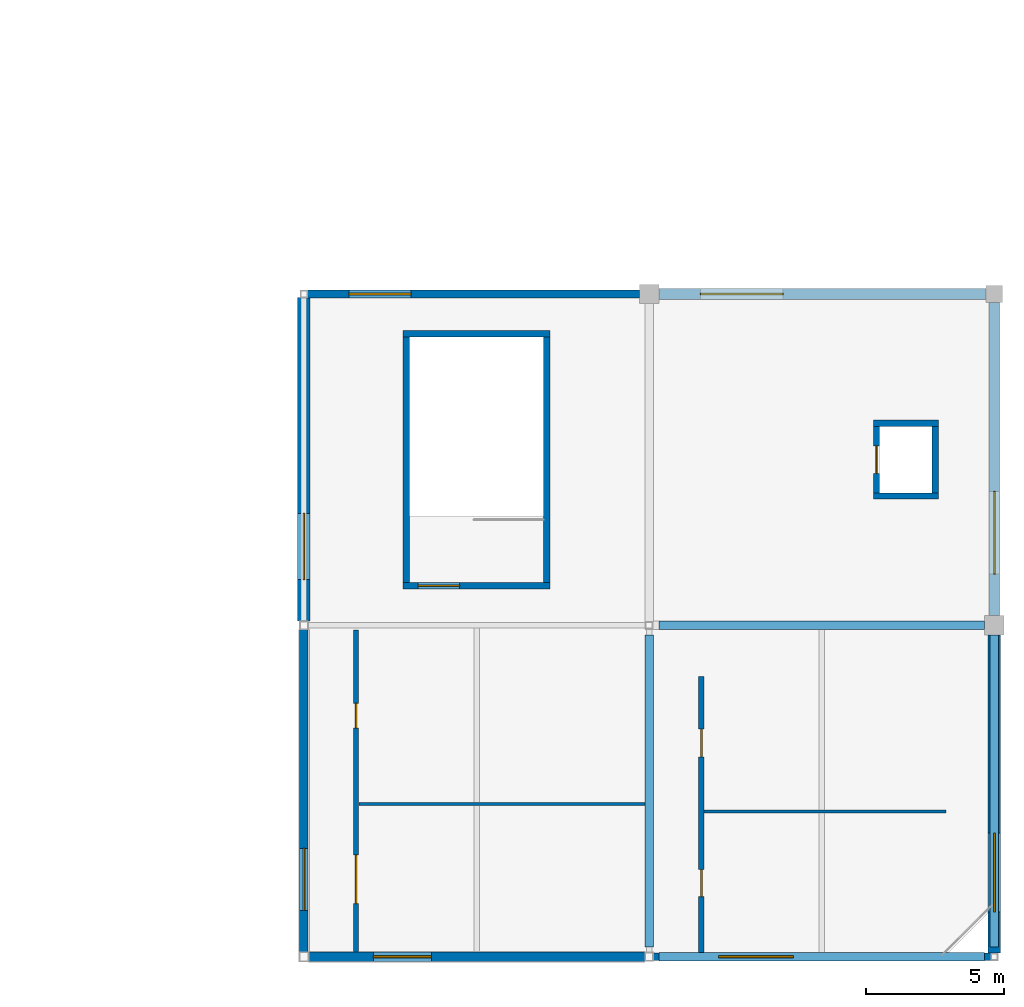
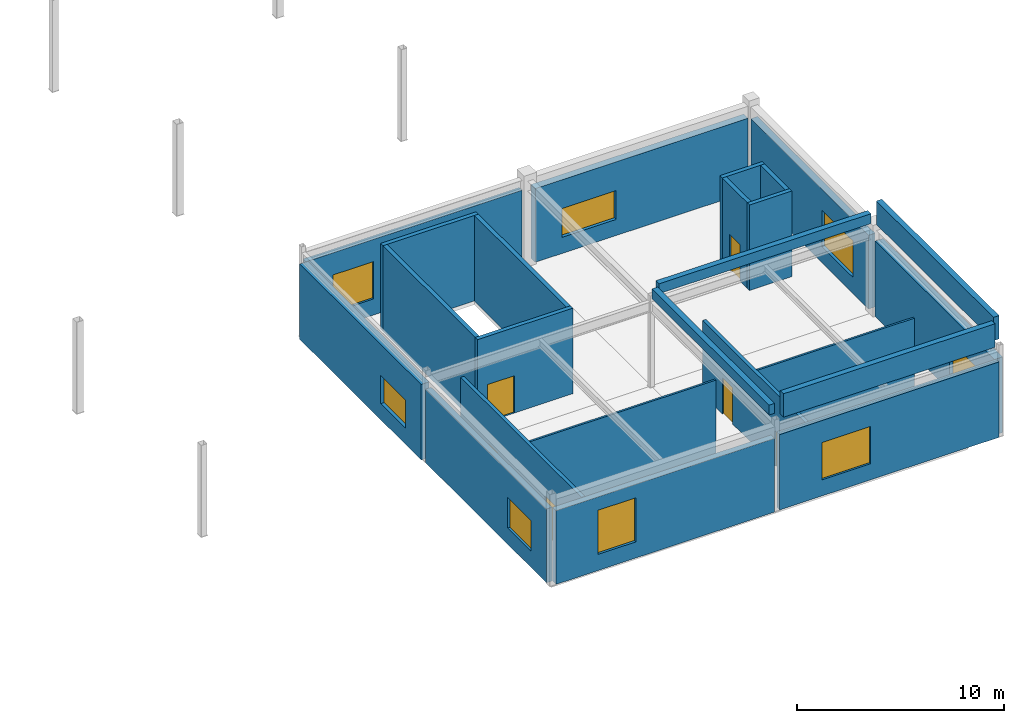
# One storey, part 66 of 76: 24 walls, 8 windows, 6 doors, 14 openings.
"""IFC4 building model written with IfcOpenShell, lengths in metres."""

from ifc_helpers import new_model, si_unit, direction, frame, frame_2d, origin, place, context, subcontext, project, spatial, rectangle, extrude, material, layer, layer_set, type_object, element, fill, save


model = new_model("IFC4")

# Units and contexts
model_context = context("Model", 3, precision=1e-05, world=origin(), true_north=direction((0.0, 1.0)))
body_context = subcontext(model_context, "Body", "Model", "MODEL_VIEW")
ifc_project = project(units=[si_unit("LENGTHUNIT", "METRE"), si_unit("AREAUNIT", "SQUARE_METRE"), si_unit("VOLUMEUNIT", "CUBIC_METRE"), si_unit("PLANEANGLEUNIT", "RADIAN"), si_unit("MASSUNIT", "GRAM", prefix="KILO")], contexts=[model_context])

# Site, building, storey
site_placement = place(None, origin())
site = spatial("IfcSite", under=ifc_project, at=site_placement, CompositionType="ELEMENT")
building_placement = place(site_placement, origin())
building = spatial("IfcBuilding", under=site, at=building_placement, Name="Kazenohara Klinker Stadium", CompositionType="ELEMENT")
storey_placement = place(building_placement, frame((0.0, 0.0, 25.800048828125)))
storey = spatial("IfcBuildingStorey", under=building, at=storey_placement, Name="L05", CompositionType="ELEMENT", Elevation=25.800048828125)

# Wall, opening, door
ifc_material_1 = material(Name="Concrete C40/50", Category="concrete")
ifc_layer_1 = layer(ifc_material_1, 0.22998046875)
ifc_layer_set_1 = layer_set([ifc_layer_1], Name="Concrete C40/50")
wall_type_1 = type_object("IfcWallType", Name="WAL-CORE-230", PredefinedType="SHEAR", material=ifc_layer_set_1)
wall_1_placement = place(storey_placement, frame((178.590087890625, 25.43505859375, 0.0), z_axis=(0.0, 0.0, 1.0), x_axis=(1.0, 0.0, 0.0)))
wall_1 = element("IfcWall", 1, at=wall_1_placement, inside=storey, type_object=wall_type_1, Name="Stairwell shear wall ST16 L05 South", PredefinedType="SHEAR", context=body_context, shape_type="SweptSolid", body=[
    extrude(rectangle(XDim=5.31982421875, YDim=0.22998046875, at=frame_2d((2.659912109375, 0.0))), origin(), (0.0, 0.0, 1.0), 5.0400390625),
])
opening_1_placement = place(wall_1_placement, frame((0.550048828125, 0.0, 0.0)))
opening_1 = element("IfcOpeningElement", 2, at=opening_1_placement, cuts=wall_1, Name="Opening SD02", PredefinedType="OPENING", context=body_context, shape_type="SweptSolid", body=[
    extrude(rectangle(XDim=1.5, YDim=2.199951171875, at=frame_2d((0.75, 1.10009765625))), frame((0.0, 0.125, 0.0), z_axis=(0.0, -1.0, 0.0), x_axis=(1.0, 0.0, 0.0)), (0.0, 0.0, 1.0), 0.25),
])
ifc_material_2 = material(Name="Flush painted steel fire door leaf", Category="steel")
door_type_1 = type_object("IfcDoorType", Name="DR-STR-1500x2200", OperationType="NOTDEFINED", PredefinedType="DOOR", material=ifc_material_2)
door_1_placement = place(opening_1_placement, origin())
door_1 = element("IfcDoor", 3, at=door_1_placement, inside=storey, type_object=door_type_1, Name="Escape stairwell fire door ST16-L05", OperationType="SINGLE_SWING_RIGHT", OverallHeight=2.199951171875, OverallWidth=1.5, PredefinedType="DOOR", context=body_context, shape_type="SweptSolid", body=[
    extrude(rectangle(XDim=1.5, YDim=2.199951171875, at=frame_2d((0.75, 1.10009765625))), frame((0.0, 0.02490234375, 0.0), z_axis=(0.0, -1.0, 0.0), x_axis=(1.0, 0.0, 0.0)), (0.0, 0.0, 1.0), 0.050048828125),
])
fill(opening_1, door_1)

# Walls
wall_2_placement = place(storey_placement, frame((178.590087890625, 34.56494140625, 0.0), z_axis=(0.0, 0.0, 1.0), x_axis=(1.0, 0.0, 0.0)))
element("IfcWall", 4, at=wall_2_placement, inside=storey, type_object=wall_type_1, Name="Stairwell shear wall ST16 L05 North", PredefinedType="SHEAR", context=body_context, shape_type="SweptSolid", body=[
    extrude(rectangle(XDim=5.31982421875, YDim=0.22998046875, at=frame_2d((2.659912109375, 0.0))), origin(), (0.0, 0.0, 1.0), 5.0400390625),
])
for number, where, z_axis, x_axis, name in (
    (5, (178.705078125, 25.550048828125, 0.0), (0.0, 0.0, 1.0), (0.0, 1.0, 0.0), "Stairwell shear wall ST16 L05 West"),
    (6, (183.794921875, 25.550048828125, 0.0), (0.0, 0.0, 1.0), (0.0, 1.0, 0.0), "Stairwell shear wall ST16 L05 East"),
):
    element("IfcWall", number, at=place(storey_placement, frame(where, z_axis=z_axis, x_axis=x_axis)), inside=storey, type_object=wall_type_1, Name=name, PredefinedType="SHEAR", context=body_context, shape_type="SweptSolid", body=[
        extrude(rectangle(XDim=8.89990234375, YDim=0.22998046875, at=frame_2d((4.449951171875, 0.0))), origin(), (0.0, 0.0, 1.0), 5.0400390625),
    ])
for number, where, z_axis, x_axis, name in (
    (7, (195.6201171875, 28.68505859375, 0.0), (0.0, 0.0, 1.0), (1.0, 0.0, 0.0), "Elevator shaft wall LP06 L05 South"),
    (8, (195.6201171875, 31.31494140625, 0.0), (0.0, 0.0, 1.0), (1.0, 0.0, 0.0), "Elevator shaft wall LP06 L05 North"),
):
    element("IfcWall", number, at=place(storey_placement, frame(where, z_axis=z_axis, x_axis=x_axis)), inside=storey, type_object=wall_type_1, Name=name, PredefinedType="SHEAR", context=body_context, shape_type="SweptSolid", body=[
        extrude(rectangle(XDim=2.35986328125, YDim=0.22998046875, at=frame_2d((1.179931640625, 0.0))), origin(), (0.0, 0.0, 1.0), 5.0400390625),
    ])

# Wall, opening, door
wall_3_placement = place(storey_placement, frame((195.735107421875, 28.800048828125, 0.0), z_axis=(0.0, 0.0, 1.0), x_axis=(0.0, 1.0, 0.0)))
wall_3 = element("IfcWall", 9, at=wall_3_placement, inside=storey, type_object=wall_type_1, Name="Elevator shaft wall LP06 L05 West", PredefinedType="SHEAR", context=body_context, shape_type="SweptSolid", body=[
    extrude(rectangle(XDim=2.39990234375, YDim=0.22998046875, at=frame_2d((1.199951171875, 0.0))), origin(), (0.0, 0.0, 1.0), 5.0400390625),
])
opening_2_placement = place(wall_3_placement, frame((0.699951171875, 0.0, 0.0)))
opening_2 = element("IfcOpeningElement", 10, at=opening_2_placement, cuts=wall_3, Name="Opening LD02", PredefinedType="OPENING", context=body_context, shape_type="SweptSolid", body=[
    extrude(rectangle(XDim=1.0, YDim=2.14990234375, at=frame_2d((0.5, 1.074951171875))), frame((0.0, 0.125, 0.0), z_axis=(0.0, -1.0, 0.0), x_axis=(1.0, 0.0, 0.0)), (0.0, 0.0, 1.0), 0.25),
])
ifc_material_3 = material(Name="Stainless steel sliding landing door", Category="steel")
door_type_2 = type_object("IfcDoorType", Name="DR-LD02-1000x2150", OperationType="NOTDEFINED", PredefinedType="DOOR", material=ifc_material_3)
door_2_placement = place(opening_2_placement, origin())
door_2 = element("IfcDoor", 11, at=door_2_placement, inside=storey, type_object=door_type_2, Name="Elevator sliding landing door LP06-L05", OperationType="DOUBLE_DOOR_SLIDING", OverallHeight=2.14990234375, OverallWidth=1.0, PredefinedType="DOOR", context=body_context, shape_type="SweptSolid", body=[
    extrude(rectangle(XDim=1.0, YDim=2.14990234375, at=frame_2d((0.5, 1.074951171875))), frame((0.0, 0.02490234375, 0.0), z_axis=(0.0, -1.0, 0.0), x_axis=(1.0, 0.0, 0.0)), (0.0, 0.0, 1.0), 0.050048828125),
])
fill(opening_2, door_2)

# Wall
wall_4_placement = place(storey_placement, frame((197.864990234375, 28.800048828125, 0.0), z_axis=(0.0, 0.0, 1.0), x_axis=(0.0, 1.0, 0.0)))
element("IfcWall", 12, at=wall_4_placement, inside=storey, type_object=wall_type_1, Name="Elevator shaft wall LP06 L05 East", PredefinedType="SHEAR", context=body_context, shape_type="SweptSolid", body=[
    extrude(rectangle(XDim=2.39990234375, YDim=0.22998046875, at=frame_2d((1.199951171875, 0.0))), origin(), (0.0, 0.0, 1.0), 5.0400390625),
])

# Wall, opening, window
ifc_material_4 = material(Name="Clinker brick masonry", Category="masonry")
ifc_layer_2 = layer(ifc_material_4, 0.280029296875)
ifc_layer_set_2 = layer_set([ifc_layer_2], Name="Clinker brick masonry")
wall_type_2 = type_object("IfcWallType", Name="WAL-EXT-CB280", PredefinedType="SOLIDWALL", material=ifc_layer_set_2)
wall_5_placement = place(storey_placement, frame((175.12890625, 36.0, 0.0), z_axis=(0.0, 0.0, 1.0), x_axis=(1.0, 0.0, 0.0)))
wall_5 = element("IfcWall", 13, at=wall_5_placement, inside=storey, type_object=wall_type_2, Name="Clinker brick cavity wall EW06 L05 X14-3", PredefinedType="SOLIDWALL", context=body_context, shape_type="SweptSolid", body=[
    extrude(rectangle(XDim=12.01708984375, YDim=0.280029296875, at=frame_2d((6.008544921875, 0.0))), origin(), (0.0, 0.0, 1.0), 4.451904296875),
])
opening_3_placement = place(wall_5_placement, frame((1.5, 0.0, 0.949951171875)))
opening_3 = element("IfcOpeningElement", 14, at=opening_3_placement, cuts=wall_5, Name="Opening W22", PredefinedType="OPENING", context=body_context, shape_type="SweptSolid", body=[
    extrude(rectangle(XDim=2.25, YDim=2.199951171875, at=frame_2d((1.125, 1.10009765625))), frame((0.0, 0.14990234375, 0.0), z_axis=(0.0, -1.0, 0.0), x_axis=(1.0, 0.0, 0.0)), (0.0, 0.0, 1.0), 0.300048828125),
])
ifc_material_5 = material(Name="Dark bronze aluminium frame and triple glazing", Category="aluminium")
window_type_1 = type_object("IfcWindowType", Name="WIN-AS-22", PartitioningType="SINGLE_PANEL", PredefinedType="WINDOW", material=ifc_material_5)
window_1_placement = place(opening_3_placement, origin())
window_1 = element("IfcWindow", 15, at=window_1_placement, inside=storey, type_object=window_type_1, Name="Horizontal-mullion ladder window W22 L05 X14-3", OverallHeight=2.199951171875, OverallWidth=2.25, PartitioningType="SINGLE_PANEL", PredefinedType="WINDOW", context=body_context, shape_type="SweptSolid", body=[
    extrude(rectangle(XDim=2.25, YDim=2.199951171875, at=frame_2d((1.125, 1.10009765625))), frame((0.0, 0.030029296875, 0.0), z_axis=(0.0, -1.0, 0.0), x_axis=(1.0, 0.0, 0.0)), (0.0, 0.0, 1.0), 0.06005859375),
])
fill(opening_3, window_1)

wall_6_placement = place(storey_placement, frame((187.654052734375, 12.0, 0.0), z_axis=(0.0, 0.0, 1.0), x_axis=(1.0, 0.0, 0.0)))
wall_6 = element("IfcWall", 16, at=wall_6_placement, inside=storey, type_object=wall_type_2, Name="Clinker brick cavity wall EW06 L05 X15-1", PredefinedType="SOLIDWALL", context=body_context, shape_type="SweptSolid", body=[
    extrude(rectangle(XDim=12.217041015625, YDim=0.280029296875, at=frame_2d((6.1083984375, 0.0))), origin(), (0.0, 0.0, 1.0), 4.43994140625),
])
opening_4_placement = place(wall_6_placement, frame((2.365966796875, 0.0, 0.949951171875)))
opening_4 = element("IfcOpeningElement", 17, at=opening_4_placement, cuts=wall_6, Name="Opening W28", PredefinedType="OPENING", context=body_context, shape_type="SweptSolid", body=[
    extrude(rectangle(XDim=2.699951171875, YDim=2.199951171875, at=frame_2d((1.35009765625, 1.10009765625))), frame((0.0, 0.14990234375, 0.0), z_axis=(0.0, -1.0, 0.0), x_axis=(1.0, 0.0, 0.0)), (0.0, 0.0, 1.0), 0.300048828125),
])
window_type_2 = type_object("IfcWindowType", Name="WIN-AS-28", PartitioningType="SINGLE_PANEL", PredefinedType="WINDOW", material=ifc_material_5)
window_2_placement = place(opening_4_placement, origin())
window_2 = element("IfcWindow", 18, at=window_2_placement, inside=storey, type_object=window_type_2, Name="Horizontal-mullion ladder window W28 L05 X15-1", OverallHeight=2.199951171875, OverallWidth=2.699951171875, PartitioningType="SINGLE_PANEL", PredefinedType="WINDOW", context=body_context, shape_type="SweptSolid", body=[
    extrude(rectangle(XDim=2.699951171875, YDim=2.199951171875, at=frame_2d((1.35009765625, 1.10009765625))), frame((0.0, 0.030029296875, 0.0), z_axis=(0.0, -1.0, 0.0), x_axis=(1.0, 0.0, 0.0)), (0.0, 0.0, 1.0), 0.06005859375),
])
fill(opening_4, window_2)

ifc_layer_3 = layer(ifc_material_4, 0.31005859375)
ifc_layer_set_3 = layer_set([ifc_layer_3], Name="Clinker brick masonry")
wall_type_3 = type_object("IfcWallType", Name="WAL-EXT-CB310", PredefinedType="SOLIDWALL", material=ifc_layer_set_3)
wall_7_placement = place(storey_placement, frame((175.0, 12.178955078125, 0.0), z_axis=(0.0, 0.0, 1.0), x_axis=(0.0, 1.0, 0.0)))
wall_7 = element("IfcWall", 19, at=wall_7_placement, inside=storey, type_object=wall_type_3, Name="Clinker brick cavity wall EW05 L05 Y14-1", PredefinedType="SOLIDWALL", context=body_context, shape_type="SweptSolid", body=[
    extrude(rectangle(XDim=11.6669921875, YDim=0.31005859375, at=frame_2d((5.83349609375, 0.0))), origin(), (0.0, 0.0, 1.0), 4.33984375),
])
opening_5_placement = place(wall_7_placement, frame((1.5, 0.0, 0.949951171875)))
opening_5 = element("IfcOpeningElement", 20, at=opening_5_placement, cuts=wall_7, Name="Opening W21", PredefinedType="OPENING", context=body_context, shape_type="SweptSolid", body=[
    extrude(rectangle(XDim=2.25, YDim=1.800048828125, at=frame_2d((1.125, 0.89990234375))), frame((0.0, 0.1650390625, 0.0), z_axis=(0.0, -1.0, 0.0), x_axis=(1.0, 0.0, 0.0)), (0.0, 0.0, 1.0), 0.330078125),
])
window_type_3 = type_object("IfcWindowType", Name="WIN-AS-21", PartitioningType="SINGLE_PANEL", PredefinedType="WINDOW", material=ifc_material_5)
window_3_placement = place(opening_5_placement, origin())
window_3 = element("IfcWindow", 21, at=window_3_placement, inside=storey, type_object=window_type_3, Name="Horizontal-mullion ladder window W21 L05 Y14-1", OverallHeight=1.800048828125, OverallWidth=2.25, PartitioningType="SINGLE_PANEL", PredefinedType="WINDOW", context=body_context, shape_type="SweptSolid", body=[
    extrude(rectangle(XDim=2.25, YDim=1.800048828125, at=frame_2d((1.125, 0.89990234375))), frame((0.0, 0.030029296875, 0.0), z_axis=(0.0, -1.0, 0.0), x_axis=(1.0, 0.0, 0.0)), (0.0, 0.0, 1.0), 0.06005859375),
])
fill(opening_5, window_3)

# Walls
wall_8_placement = place(storey_placement, frame((187.85009765625, 12.0, 5.39990234375), z_axis=(0.0, 0.0, 1.0), x_axis=(1.0, 0.0, 0.0)))
element("IfcWall", 22, at=wall_8_placement, inside=storey, type_object=wall_type_3, Name="Turret crown klinker wall EW05 GT4-SE-S", PredefinedType="SOLIDWALL", context=body_context, shape_type="SweptSolid", body=[
    extrude(rectangle(XDim=11.7998046875, YDim=0.31005859375, at=frame_2d((5.89990234375, 0.0))), origin(), (0.0, 0.0, 1.0), 1.380126953125),
])
wall_9_placement = place(storey_placement, frame((187.85009765625, 24.0, 5.39990234375), z_axis=(0.0, 0.0, 1.0), x_axis=(1.0, 0.0, 0.0)))
element("IfcWall", 23, at=wall_9_placement, inside=storey, type_object=wall_type_3, Name="Turret crown klinker wall EW05 GT4-SE-N", PredefinedType="SOLIDWALL", context=body_context, shape_type="SweptSolid", body=[
    extrude(rectangle(XDim=11.7998046875, YDim=0.31005859375, at=frame_2d((5.89990234375, 0.0))), origin(), (0.0, 0.0, 1.0), 0.580078125),
])
wall_10_placement = place(storey_placement, frame((187.5, 12.35009765625, 5.39990234375), z_axis=(0.0, 0.0, 1.0), x_axis=(0.0, 1.0, 0.0)))
element("IfcWall", 24, at=wall_10_placement, inside=storey, type_object=wall_type_3, Name="Turret crown klinker wall EW05 GT4-SE-W", PredefinedType="SOLIDWALL", context=body_context, shape_type="SweptSolid", body=[
    extrude(rectangle(XDim=11.2998046875, YDim=0.31005859375, at=frame_2d((5.64990234375, 0.0))), origin(), (0.0, 0.0, 1.0), 0.580078125),
])
wall_11_placement = place(storey_placement, frame((200.0, 12.35009765625, 5.39990234375), z_axis=(0.0, 0.0, 1.0), x_axis=(0.0, 1.0, 0.0)))
element("IfcWall", 25, at=wall_11_placement, inside=storey, type_object=wall_type_3, Name="Turret crown klinker wall EW05 GT4-SE-E", PredefinedType="SOLIDWALL", context=body_context, shape_type="SweptSolid", body=[
    extrude(rectangle(XDim=11.2998046875, YDim=0.31005859375, at=frame_2d((5.64990234375, 0.0))), origin(), (0.0, 0.0, 1.0), 1.380126953125),
])

# Wall, opening, window
ifc_layer_4 = layer(ifc_material_4, 0.340087890625)
ifc_layer_set_4 = layer_set([ifc_layer_4], Name="Clinker brick masonry")
wall_type_4 = type_object("IfcWallType", Name="WAL-EXT-CB340", PredefinedType="SOLIDWALL", material=ifc_layer_set_4)
wall_12_placement = place(storey_placement, frame((175.178955078125, 12.0, 0.0), z_axis=(0.0, 0.0, 1.0), x_axis=(1.0, 0.0, 0.0)))
wall_12 = element("IfcWall", 26, at=wall_12_placement, inside=storey, type_object=wall_type_4, Name="Clinker brick cavity wall EW04 L05 X14-1", PredefinedType="SOLIDWALL", context=body_context, shape_type="SweptSolid", body=[
    extrude(rectangle(XDim=12.1669921875, YDim=0.340087890625, at=frame_2d((6.08349609375, 0.0))), origin(), (0.0, 0.0, 1.0), 4.33984375),
])
opening_6_placement = place(wall_12_placement, frame((2.341064453125, 0.0, 0.949951171875)))
opening_6 = element("IfcOpeningElement", 27, at=opening_6_placement, cuts=wall_12, Name="Opening W20", PredefinedType="OPENING", context=body_context, shape_type="SweptSolid", body=[
    extrude(rectangle(XDim=2.10009765625, YDim=2.60009765625, at=frame_2d((1.050048828125, 1.300048828125))), frame((0.0, 0.18017578125, 0.0), z_axis=(0.0, -1.0, 0.0), x_axis=(1.0, 0.0, 0.0)), (0.0, 0.0, 1.0), 0.360107421875),
])
window_type_4 = type_object("IfcWindowType", Name="WIN-AS-20", PartitioningType="SINGLE_PANEL", PredefinedType="WINDOW", material=ifc_material_5)
window_4_placement = place(opening_6_placement, origin())
window_4 = element("IfcWindow", 28, at=window_4_placement, inside=storey, type_object=window_type_4, Name="Horizontal-mullion ladder window W20 L05 X14-1", OverallHeight=2.60009765625, OverallWidth=2.10009765625, PartitioningType="SINGLE_PANEL", PredefinedType="WINDOW", context=body_context, shape_type="SweptSolid", body=[
    extrude(rectangle(XDim=2.10009765625, YDim=2.60009765625, at=frame_2d((1.050048828125, 1.300048828125))), frame((0.0, 0.030029296875, 0.0), z_axis=(0.0, -1.0, 0.0), x_axis=(1.0, 0.0, 0.0)), (0.0, 0.0, 1.0), 0.06005859375),
])
fill(opening_6, window_4)

ifc_layer_5 = layer(ifc_material_4, 0.3701171875)
ifc_layer_set_5 = layer_set([ifc_layer_5], Name="Clinker brick masonry")
wall_type_5 = type_object("IfcWallType", Name="WAL-EXT-CB370", PredefinedType="SOLIDWALL", material=ifc_layer_set_5)
wall_13_placement = place(storey_placement, frame((200.0, 24.35400390625, 0.0), z_axis=(0.0, 0.0, 1.0), x_axis=(0.0, 1.0, 0.0)))
wall_13 = element("IfcWall", 29, at=wall_13_placement, inside=storey, type_object=wall_type_5, Name="Clinker brick cavity wall EW03 L05 Y16-2", PredefinedType="SOLIDWALL", context=body_context, shape_type="SweptSolid", body=[
    extrude(rectangle(XDim=11.342041015625, YDim=0.3701171875, at=frame_2d((5.6708984375, 0.0))), origin(), (0.0, 0.0, 1.0), 4.33984375),
])
opening_7_placement = place(wall_13_placement, frame((1.5, 0.0, 0.949951171875)))
opening_7 = element("IfcOpeningElement", 30, at=opening_7_placement, cuts=wall_13, Name="Opening W31", PredefinedType="OPENING", context=body_context, shape_type="SweptSolid", body=[
    extrude(rectangle(XDim=3.0, YDim=2.14990234375, at=frame_2d((1.5, 1.074951171875))), frame((0.0, 0.195068359375, 0.0), z_axis=(0.0, -1.0, 0.0), x_axis=(1.0, 0.0, 0.0)), (0.0, 0.0, 1.0), 0.39013671875),
])
window_type_5 = type_object("IfcWindowType", Name="WIN-AS-31", PartitioningType="SINGLE_PANEL", PredefinedType="WINDOW", material=ifc_material_5)
window_5_placement = place(opening_7_placement, origin())
window_5 = element("IfcWindow", 31, at=window_5_placement, inside=storey, type_object=window_type_5, Name="Horizontal-mullion ladder window W31 L05 Y16-2", OverallHeight=2.14990234375, OverallWidth=3.0, PartitioningType="SINGLE_PANEL", PredefinedType="WINDOW", context=body_context, shape_type="SweptSolid", body=[
    extrude(rectangle(XDim=3.0, YDim=2.14990234375, at=frame_2d((1.5, 1.074951171875))), frame((0.0, 0.030029296875, 0.0), z_axis=(0.0, -1.0, 0.0), x_axis=(1.0, 0.0, 0.0)), (0.0, 0.0, 1.0), 0.06005859375),
])
fill(opening_7, window_5)

ifc_layer_6 = layer(ifc_material_4, 0.409912109375)
ifc_layer_set_6 = layer_set([ifc_layer_6], Name="Clinker brick masonry")
wall_type_6 = type_object("IfcWallType", Name="WAL-EXT-CB410", PredefinedType="SOLIDWALL", material=ifc_layer_set_6)
wall_14_placement = place(storey_placement, frame((187.85400390625, 36.0, 0.0), z_axis=(0.0, 0.0, 1.0), x_axis=(1.0, 0.0, 0.0)))
wall_14 = element("IfcWall", 32, at=wall_14_placement, inside=storey, type_object=wall_type_6, Name="Clinker brick cavity wall EW02 L05 X15-3", PredefinedType="SOLIDWALL", context=body_context, shape_type="SweptSolid", body=[
    extrude(rectangle(XDim=11.842041015625, YDim=0.409912109375, at=frame_2d((5.9208984375, 0.0))), origin(), (0.0, 0.0, 1.0), 4.33984375),
])
opening_8_placement = place(wall_14_placement, frame((1.5, 0.0, 0.949951171875)))
opening_8 = element("IfcOpeningElement", 33, at=opening_8_placement, cuts=wall_14, Name="Opening W30", PredefinedType="OPENING", context=body_context, shape_type="SweptSolid", body=[
    extrude(rectangle(XDim=3.0, YDim=1.699951171875, at=frame_2d((1.5, 0.85009765625))), frame((0.0, 0.21484375, 0.0), z_axis=(0.0, -1.0, 0.0), x_axis=(1.0, 0.0, 0.0)), (0.0, 0.0, 1.0), 0.429931640625),
])
window_type_6 = type_object("IfcWindowType", Name="WIN-AS-30", PartitioningType="SINGLE_PANEL", PredefinedType="WINDOW", material=ifc_material_5)
window_6_placement = place(opening_8_placement, origin())
window_6 = element("IfcWindow", 34, at=window_6_placement, inside=storey, type_object=window_type_6, Name="Horizontal-mullion ladder window W30 L05 X15-3", OverallHeight=1.699951171875, OverallWidth=3.0, PartitioningType="SINGLE_PANEL", PredefinedType="WINDOW", context=body_context, shape_type="SweptSolid", body=[
    extrude(rectangle(XDim=3.0, YDim=1.699951171875, at=frame_2d((1.5, 0.85009765625))), frame((0.0, 0.030029296875, 0.0), z_axis=(0.0, -1.0, 0.0), x_axis=(1.0, 0.0, 0.0)), (0.0, 0.0, 1.0), 0.06005859375),
])
fill(opening_8, window_6)

ifc_layer_7 = layer(ifc_material_4, 0.449951171875)
ifc_layer_set_7 = layer_set([ifc_layer_7], Name="Clinker brick masonry")
wall_type_7 = type_object("IfcWallType", Name="WAL-EXT-CB450", PredefinedType="SOLIDWALL", material=ifc_layer_set_7)
wall_15_placement = place(storey_placement, frame((175.0, 24.154052734375, 0.0), z_axis=(0.0, 0.0, 1.0), x_axis=(0.0, 1.0, 0.0)))
wall_15 = element("IfcWall", 35, at=wall_15_placement, inside=storey, type_object=wall_type_7, Name="Clinker brick cavity wall EW01 L05 Y14-2", PredefinedType="SOLIDWALL", context=body_context, shape_type="SweptSolid", body=[
    extrude(rectangle(XDim=11.717041015625, YDim=0.449951171875, at=frame_2d((5.8583984375, 0.0))), origin(), (0.0, 0.0, 1.0), 4.43994140625),
])
opening_9_placement = place(wall_15_placement, frame((1.5, 0.0, 0.949951171875)))
opening_9 = element("IfcOpeningElement", 36, at=opening_9_placement, cuts=wall_15, Name="Opening W23", PredefinedType="OPENING", context=body_context, shape_type="SweptSolid", body=[
    extrude(rectangle(XDim=2.39990234375, YDim=1.64990234375, at=frame_2d((1.199951171875, 0.824951171875))), frame((0.0, 0.23486328125, 0.0), z_axis=(0.0, -1.0, 0.0), x_axis=(1.0, 0.0, 0.0)), (0.0, 0.0, 1.0), 0.469970703125),
])
window_type_7 = type_object("IfcWindowType", Name="WIN-AS-23", PartitioningType="SINGLE_PANEL", PredefinedType="WINDOW", material=ifc_material_5)
window_7_placement = place(opening_9_placement, origin())
window_7 = element("IfcWindow", 37, at=window_7_placement, inside=storey, type_object=window_type_7, Name="Horizontal-mullion ladder window W23 L05 Y14-2", OverallHeight=1.64990234375, OverallWidth=2.39990234375, PartitioningType="SINGLE_PANEL", PredefinedType="WINDOW", context=body_context, shape_type="SweptSolid", body=[
    extrude(rectangle(XDim=2.39990234375, YDim=1.64990234375, at=frame_2d((1.199951171875, 0.824951171875))), frame((0.0, 0.030029296875, 0.0), z_axis=(0.0, -1.0, 0.0), x_axis=(1.0, 0.0, 0.0)), (0.0, 0.0, 1.0), 0.06005859375),
])
fill(opening_9, window_7)

wall_16_placement = place(storey_placement, frame((200.0, 12.12890625, 0.0), z_axis=(0.0, 0.0, 1.0), x_axis=(0.0, 1.0, 0.0)))
wall_16 = element("IfcWall", 38, at=wall_16_placement, inside=storey, type_object=wall_type_7, Name="Clinker brick cavity wall EW01 L05 Y16-1", PredefinedType="SOLIDWALL", context=body_context, shape_type="SweptSolid", body=[
    extrude(rectangle(XDim=11.51708984375, YDim=0.449951171875, at=frame_2d((5.758544921875, 0.0))), origin(), (0.0, 0.0, 1.0), 4.451904296875),
])
opening_10_placement = place(wall_16_placement, frame((1.5, 0.0, 0.949951171875)))
opening_10 = element("IfcOpeningElement", 39, at=opening_10_placement, cuts=wall_16, Name="Opening W29", PredefinedType="OPENING", context=body_context, shape_type="SweptSolid", body=[
    extrude(rectangle(XDim=2.85009765625, YDim=2.0, at=frame_2d((1.425048828125, 1.0))), frame((0.0, 0.23486328125, 0.0), z_axis=(0.0, -1.0, 0.0), x_axis=(1.0, 0.0, 0.0)), (0.0, 0.0, 1.0), 0.469970703125),
])
window_type_8 = type_object("IfcWindowType", Name="WIN-AS-29", PartitioningType="SINGLE_PANEL", PredefinedType="WINDOW", material=ifc_material_5)
window_8_placement = place(opening_10_placement, origin())
window_8 = element("IfcWindow", 40, at=window_8_placement, inside=storey, type_object=window_type_8, Name="Horizontal-mullion ladder window W29 L05 Y16-1", OverallHeight=2.0, OverallWidth=2.85009765625, PartitioningType="SINGLE_PANEL", PredefinedType="WINDOW", context=body_context, shape_type="SweptSolid", body=[
    extrude(rectangle(XDim=2.85009765625, YDim=2.0, at=frame_2d((1.425048828125, 1.0))), frame((0.0, 0.030029296875, 0.0), z_axis=(0.0, -1.0, 0.0), x_axis=(1.0, 0.0, 0.0)), (0.0, 0.0, 1.0), 0.06005859375),
])
fill(opening_10, window_8)

# Walls
ifc_material_6 = material(Name="Fire-rated gypsum board on acoustic studs", Category="gypsum")
ifc_layer_8 = layer(ifc_material_6, 0.110107421875)
ifc_layer_set_8 = layer_set([ifc_layer_8], Name="Fire-rated gypsum board on acoustic studs")
wall_type_8 = type_object("IfcWallType", Name="WAL-INT-P110", PredefinedType="PARTITIONING", material=ifc_layer_set_8)
wall_17_placement = place(storey_placement, frame((176.989990234375, 17.53271484375, 0.0), z_axis=(0.0, 0.0, 1.0), x_axis=(1.0, 0.0, 0.0)))
element("IfcWall", 41, at=wall_17_placement, inside=storey, type_object=wall_type_8, Name="Interior partition wall PT01 SPC-L05-14-01-1-2", PredefinedType="PARTITIONING", context=body_context, shape_type="SweptSolid", body=[
    extrude(rectangle(XDim=10.35302734375, YDim=0.110107421875, at=frame_2d((5.176513671875, 0.0))), origin(), (0.0, 0.0, 1.0), 4.349853515625),
])
wall_18_placement = place(storey_placement, frame((189.489990234375, 17.2548828125, 0.0), z_axis=(0.0, 0.0, 1.0), x_axis=(1.0, 0.0, 0.0)))
element("IfcWall", 42, at=wall_18_placement, inside=storey, type_object=wall_type_8, Name="Interior partition wall PT01 SPC-L05-15-01-1-2", PredefinedType="PARTITIONING", context=body_context, shape_type="SweptSolid", body=[
    extrude(rectangle(XDim=8.760009765625, YDim=0.110107421875, at=frame_2d((4.3798828125, 0.0))), origin(), (0.0, 0.0, 1.0), 4.349853515625),
])

# Wall, openings, doors
ifc_layer_9 = layer(ifc_material_6, 0.18994140625)
ifc_layer_set_9 = layer_set([ifc_layer_9], Name="Fire-rated gypsum board on acoustic studs")
wall_type_9 = type_object("IfcWallType", Name="WAL-INT-P190", PredefinedType="PARTITIONING", material=ifc_layer_set_9)
wall_19_placement = place(storey_placement, frame((176.889892578125, 12.172119140625, 0.0), z_axis=(0.0, 0.0, 1.0), x_axis=(0.0, 1.0, 0.0)))
wall_19 = element("IfcWall", 43, at=wall_19_placement, inside=storey, type_object=wall_type_9, Name="Interior partition wall PT06 SPC-L05-14-01-1-1", PredefinedType="PARTITIONING", context=body_context, shape_type="SweptSolid", body=[
    extrude(rectangle(XDim=11.66796875, YDim=0.18994140625, at=frame_2d((5.833984375, 0.0))), origin(), (0.0, 0.0, 1.0), 4.349853515625),
])
opening_11_placement = place(wall_19_placement, frame((3.514404296875, 0.0, 0.0), z_axis=(0.0, 0.0, 1.0), x_axis=(-1.0, 0.0, 0.0)))
opening_11 = element("IfcOpeningElement", 44, at=opening_11_placement, cuts=wall_19, Name="Opening ID26", PredefinedType="OPENING", context=body_context, shape_type="SweptSolid", body=[
    extrude(rectangle(XDim=1.760009765625, YDim=2.300048828125, at=frame_2d((0.8798828125, 1.14990234375))), frame((0.0, 0.10498046875, 0.0), z_axis=(0.0, -1.0, 0.0), x_axis=(1.0, 0.0, 0.0)), (0.0, 0.0, 1.0), 0.2099609375),
])
opening_12_placement = place(wall_19_placement, frame((9.00439453125, 0.0, 0.0), z_axis=(0.0, 0.0, 1.0), x_axis=(-1.0, 0.0, 0.0)))
opening_12 = element("IfcOpeningElement", 45, at=opening_12_placement, cuts=wall_19, Name="Opening ID01", PredefinedType="OPENING", context=body_context, shape_type="SweptSolid", body=[
    extrude(rectangle(XDim=0.89990234375, YDim=2.06005859375, at=frame_2d((0.449951171875, 1.030029296875))), frame((0.0, 0.10498046875, 0.0), z_axis=(0.0, -1.0, 0.0), x_axis=(1.0, 0.0, 0.0)), (0.0, 0.0, 1.0), 0.2099609375),
])
ifc_material_7 = material(Name="Solid-core Hokkaido oak fire door", Category="wood")
door_type_3 = type_object("IfcDoorType", Name="DR-INT-01", OperationType="NOTDEFINED", PredefinedType="DOOR", material=ifc_material_7)
door_3_placement = place(opening_12_placement, origin())
door_3 = element("IfcDoor", 46, at=door_3_placement, inside=storey, type_object=door_type_3, Name="Interior door ID01 Post-Match Press Conference Theatre L05-1401B", OperationType="SINGLE_SWING_RIGHT", OverallHeight=2.06005859375, OverallWidth=0.89990234375, PredefinedType="DOOR", context=body_context, shape_type="SweptSolid", body=[
    extrude(rectangle(XDim=0.89990234375, YDim=2.06005859375, at=frame_2d((0.449951171875, 1.030029296875))), frame((0.0, 0.02490234375, 0.0), z_axis=(0.0, -1.0, 0.0), x_axis=(1.0, 0.0, 0.0)), (0.0, 0.0, 1.0), 0.050048828125),
])
fill(opening_12, door_3)
ifc_material_8 = material(Name="Painted steel plant fire door", Category="steel")
door_type_4 = type_object("IfcDoorType", Name="DR-INT-26", OperationType="NOTDEFINED", PredefinedType="DOOR", material=ifc_material_8)
door_4_placement = place(opening_11_placement, origin())
door_4 = element("IfcDoor", 47, at=door_4_placement, inside=storey, type_object=door_type_4, Name="Interior door ID26 World-Feed Radio Commentary Cabin L05-1401A", OperationType="SINGLE_SWING_LEFT", OverallHeight=2.300048828125, OverallWidth=1.760009765625, PredefinedType="DOOR", context=body_context, shape_type="SweptSolid", body=[
    extrude(rectangle(XDim=1.760009765625, YDim=2.300048828125, at=frame_2d((0.8798828125, 1.14990234375))), frame((0.0, 0.02490234375, 0.0), z_axis=(0.0, -1.0, 0.0), x_axis=(1.0, 0.0, 0.0)), (0.0, 0.0, 1.0), 0.050048828125),
])
fill(opening_11, door_4)

wall_20_placement = place(storey_placement, frame((189.389892578125, 12.156982421875, 0.0), z_axis=(0.0, 0.0, 1.0), x_axis=(0.0, 1.0, 0.0)))
wall_20 = element("IfcWall", 48, at=wall_20_placement, inside=storey, type_object=wall_type_9, Name="Interior partition wall PT06 SPC-L05-15-01-1-1", PredefinedType="PARTITIONING", context=body_context, shape_type="SweptSolid", body=[
    extrude(rectangle(XDim=9.992919921875, YDim=0.18994140625, at=frame_2d((4.99658203125, 0.0))), origin(), (0.0, 0.0, 1.0), 4.349853515625),
])
opening_13_placement = place(wall_20_placement, frame((3.00048828125, 0.0, 0.0), z_axis=(0.0, 0.0, 1.0), x_axis=(-1.0, 0.0, 0.0)))
opening_13 = element("IfcOpeningElement", 49, at=opening_13_placement, cuts=wall_20, Name="Opening ID04", PredefinedType="OPENING", context=body_context, shape_type="SweptSolid", body=[
    extrude(rectangle(XDim=0.97998046875, YDim=2.10009765625, at=frame_2d((0.489990234375, 1.050048828125))), frame((0.0, 0.10498046875, 0.0), z_axis=(0.0, -1.0, 0.0), x_axis=(1.0, 0.0, 0.0)), (0.0, 0.0, 1.0), 0.2099609375),
])
opening_14_placement = place(wall_20_placement, frame((8.08544921875, 0.0, 0.0), z_axis=(0.0, 0.0, 1.0), x_axis=(-1.0, 0.0, 0.0)))
opening_14 = element("IfcOpeningElement", 50, at=opening_14_placement, cuts=wall_20, Name="Opening ID05", PredefinedType="OPENING", context=body_context, shape_type="SweptSolid", body=[
    extrude(rectangle(XDim=1.0, YDim=2.139892578125, at=frame_2d((0.5, 1.06982421875))), frame((0.0, 0.10498046875, 0.0), z_axis=(0.0, -1.0, 0.0), x_axis=(1.0, 0.0, 0.0)), (0.0, 0.0, 1.0), 0.2099609375),
])
door_type_5 = type_object("IfcDoorType", Name="DR-INT-04", OperationType="NOTDEFINED", PredefinedType="DOOR", material=ifc_material_7)
door_5_placement = place(opening_13_placement, origin())
door_5 = element("IfcDoor", 51, at=door_5_placement, inside=storey, type_object=door_type_5, Name="Interior door ID04 Television Broadcast Production Studio L05-1501A", OperationType="SINGLE_SWING_LEFT", OverallHeight=2.10009765625, OverallWidth=0.97998046875, PredefinedType="DOOR", context=body_context, shape_type="SweptSolid", body=[
    extrude(rectangle(XDim=0.97998046875, YDim=2.10009765625, at=frame_2d((0.489990234375, 1.050048828125))), frame((0.0, 0.02490234375, 0.0), z_axis=(0.0, -1.0, 0.0), x_axis=(1.0, 0.0, 0.0)), (0.0, 0.0, 1.0), 0.050048828125),
])
fill(opening_13, door_5)
door_type_6 = type_object("IfcDoorType", Name="DR-INT-05", OperationType="NOTDEFINED", PredefinedType="DOOR", material=ifc_material_7)
door_6_placement = place(opening_14_placement, origin())
door_6 = element("IfcDoor", 52, at=door_6_placement, inside=storey, type_object=door_type_6, Name="Interior door ID05 Written Press Tribune Media Workroom L05-1501B", OperationType="SINGLE_SWING_RIGHT", OverallHeight=2.139892578125, OverallWidth=1.0, PredefinedType="DOOR", context=body_context, shape_type="SweptSolid", body=[
    extrude(rectangle(XDim=1.0, YDim=2.139892578125, at=frame_2d((0.5, 1.06982421875))), frame((0.0, 0.02490234375, 0.0), z_axis=(0.0, -1.0, 0.0), x_axis=(1.0, 0.0, 0.0)), (0.0, 0.0, 1.0), 0.050048828125),
])
fill(opening_14, door_6)

save(model, "model.ifc")
